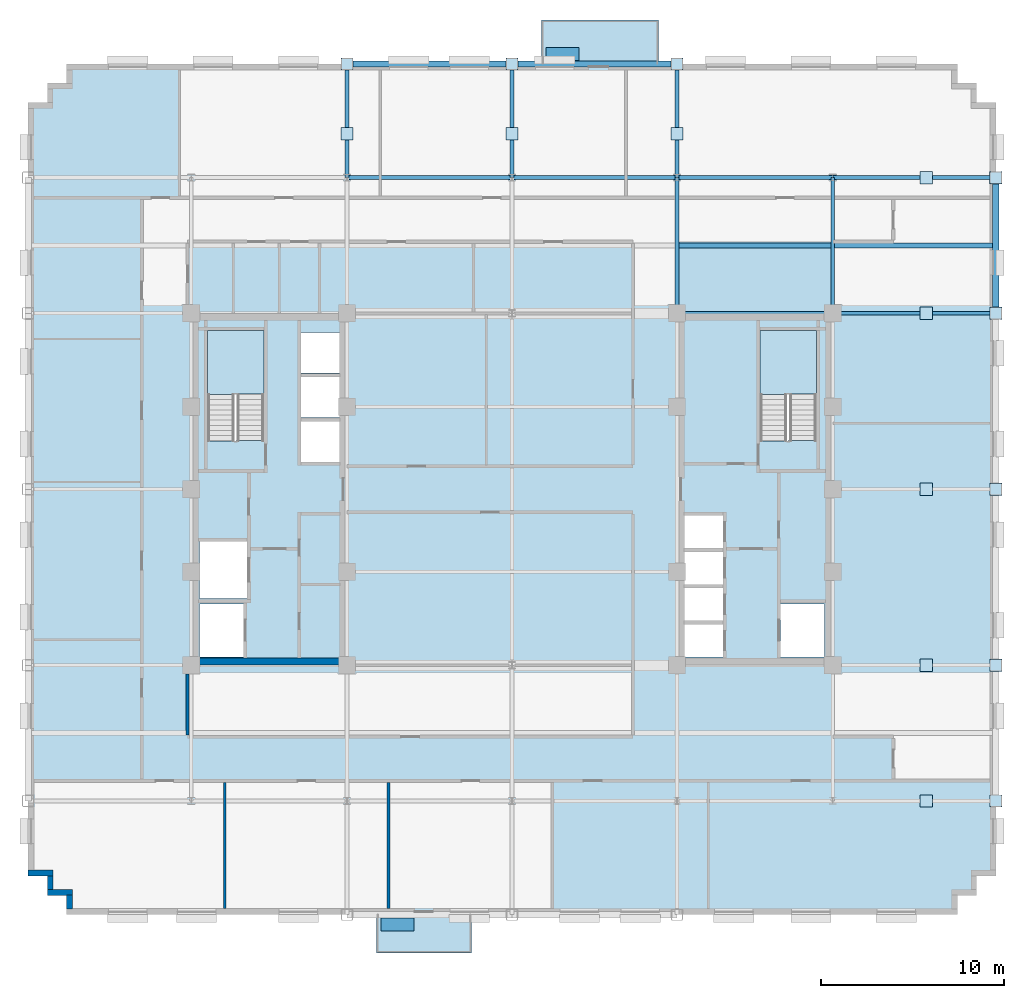
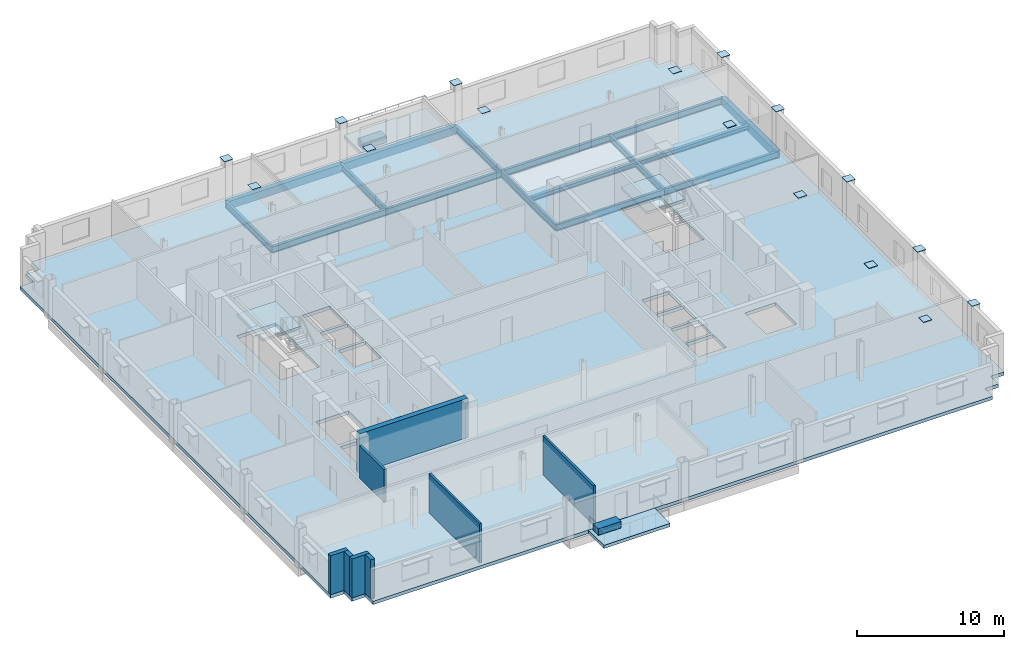
# One storey, part 5 of 14: 18 plates, 16 beams, 8 walls, 5 slabs, 2 elements without a shape of their own.
"""IFC4 building model written with IfcOpenShell, lengths in metres."""

from ifc_helpers import new_model, si_unit, direction, frame, frame_2d, origin, origin_2d, place, context, subcontext, project, spatial, polyline, rectangle, i_section, outline, extrude, source, transform, mapped, material, layer, layer_set, material_profile, profile_set, type_object, type_shapes, element, aggregate, save


model = new_model("IFC4")

# Units and contexts
model_context = context("Model", 3, precision=1e-05, world=origin(), true_north=direction((0.0, 1.0)))
body_context = subcontext(model_context, "Body", "Model", "MODEL_VIEW")
ifc_project = project(units=[si_unit("LENGTHUNIT", "METRE"), si_unit("AREAUNIT", "SQUARE_METRE"), si_unit("VOLUMEUNIT", "CUBIC_METRE"), si_unit("PLANEANGLEUNIT", "RADIAN"), si_unit("MASSUNIT", "GRAM", prefix="KILO")], contexts=[model_context])

# Site, building, storey
site_placement = place(None, origin())
site = spatial("IfcSite", under=ifc_project, at=site_placement, CompositionType="ELEMENT")
building_placement = place(site_placement, origin())
building = spatial("IfcBuilding", under=site, at=building_placement, Name="Nuvemarco Arch Tower", CompositionType="ELEMENT")
storey_placement = place(building_placement, frame((0.0, 0.0, 164.0)))
storey = spatial("IfcBuildingStorey", under=building, at=storey_placement, Name="L43", CompositionType="ELEMENT", Elevation=164.0)

# Beams
ifc_material_1 = material(Name="Steel S355", Category="steel")
ifc_material_profile_1 = material_profile(ifc_material_1, i_section(OverallWidth=0.2109375, OverallDepth=0.5390625, WebThickness=0.01171875, FlangeThickness=0.018798828125, FilletRadius=0.01611328125, at=origin_2d()), Name="W530x109")
ifc_profile_set_1 = profile_set([ifc_material_profile_1], Name="Steel S355")
beam_type_1 = type_object("IfcBeamType", Name="BM-GIRD-530", PredefinedType="BEAM", material=ifc_profile_set_1)
for number, where, z_axis, x_axis, name in (
    (1, (-9.0, 17.0, -0.549560546875), (0.0, 1.0, 0.0), (-1.0, 0.0, 0.0), "L43 structural beam BGNS_L43_0_-9.0_+17.0"),
    (2, (0.0, 17.0, -0.549560546875), (0.0, 1.0, 0.0), (-1.0, 0.0, 0.0), "L43 structural beam BGNS_L43_0_+0.0_+17.0"),
):
    element("IfcBeam", number, at=place(storey_placement, frame(where, z_axis=z_axis, x_axis=x_axis)), inside=storey, type_object=beam_type_1, Name=name, PredefinedType="BEAM", context=body_context, shape_type="SweptSolid", body=[
        extrude(i_section(OverallWidth=0.2109375, OverallDepth=0.5390625, WebThickness=0.01171875, FlangeThickness=0.018798828125, FilletRadius=0.01611328125, at=origin_2d()), origin(), (0.0, 0.0, 1.0), 6.199951171875),
    ])
beam_1_placement = place(storey_placement, frame((9.0, 9.60009765625, -0.549560546875), z_axis=(0.0, 1.0, 0.0), x_axis=(-1.0, 0.0, 0.0)))
element("IfcBeam", 3, at=beam_1_placement, inside=storey, type_object=beam_type_1, Name="L43 structural beam BGNS_L43_0_+9.0_+9.6", PredefinedType="BEAM", context=body_context, shape_type="SweptSolid", body=[
    extrude(i_section(OverallWidth=0.2109375, OverallDepth=0.5390625, WebThickness=0.01171875, FlangeThickness=0.018798828125, FilletRadius=0.01611328125, at=origin_2d()), origin(), (0.0, 0.0, 1.0), 7.39990234375),
])
beam_2_placement = place(storey_placement, frame((9.0, 17.0, -0.549560546875), z_axis=(0.0, 1.0, 0.0), x_axis=(-1.0, 0.0, 0.0)))
element("IfcBeam", 4, at=beam_2_placement, inside=storey, type_object=beam_type_1, Name="L43 structural beam BGNS_L43_0_+9.0_+17.0", PredefinedType="BEAM", context=body_context, shape_type="SweptSolid", body=[
    extrude(i_section(OverallWidth=0.2109375, OverallDepth=0.5390625, WebThickness=0.01171875, FlangeThickness=0.018798828125, FilletRadius=0.01611328125, at=origin_2d()), origin(), (0.0, 0.0, 1.0), 6.199951171875),
])
beam_3_placement = place(storey_placement, frame((17.5, 9.60009765625, -0.549560546875), z_axis=(0.0, 1.0, 0.0), x_axis=(-1.0, 0.0, 0.0)))
element("IfcBeam", 5, at=beam_3_placement, inside=storey, type_object=beam_type_1, Name="L43 structural beam BGNS_L43_0_+17.5_+9.6", PredefinedType="BEAM", context=body_context, shape_type="SweptSolid", body=[
    extrude(i_section(OverallWidth=0.2109375, OverallDepth=0.5390625, WebThickness=0.01171875, FlangeThickness=0.018798828125, FilletRadius=0.01611328125, at=origin_2d()), origin(), (0.0, 0.0, 1.0), 7.39990234375),
])
beam_4_placement = place(storey_placement, frame((9.0, 9.60009765625, -0.549560546875), z_axis=(1.0, 0.0, 0.0), x_axis=(0.0, 1.0, 0.0)))
element("IfcBeam", 6, at=beam_4_placement, inside=storey, type_object=beam_type_1, Name="L43 structural beam BGEW_L43_0_+9.6_+9.0", PredefinedType="BEAM", context=body_context, shape_type="SweptSolid", body=[
    extrude(i_section(OverallWidth=0.2109375, OverallDepth=0.5390625, WebThickness=0.01171875, FlangeThickness=0.018798828125, FilletRadius=0.01611328125, at=origin_2d()), origin(), (0.0, 0.0, 1.0), 8.5),
])
beam_5_placement = place(storey_placement, frame((17.5, 9.60009765625, -0.549560546875), z_axis=(1.0, 0.0, 0.0), x_axis=(0.0, 1.0, 0.0)))
element("IfcBeam", 7, at=beam_5_placement, inside=storey, type_object=beam_type_1, Name="L43 structural beam BGEW_L43_0_+9.6_+17.5", PredefinedType="BEAM", context=body_context, shape_type="SweptSolid", body=[
    extrude(i_section(OverallWidth=0.2109375, OverallDepth=0.5390625, WebThickness=0.01171875, FlangeThickness=0.018798828125, FilletRadius=0.01611328125, at=origin_2d()), origin(), (0.0, 0.0, 1.0), 8.89990234375),
])
for number, where, z_axis, x_axis, name in (
    (8, (-9.0, 17.0, -0.549560546875), (1.0, 0.0, 0.0), (0.0, 1.0, 0.0), "L43 structural beam BGEW_L43_0_+17.0_-9.0"),
    (9, (0.0, 17.0, -0.549560546875), (1.0, 0.0, 0.0), (0.0, 1.0, 0.0), "L43 structural beam BGEW_L43_0_+17.0_+0.0"),
):
    element("IfcBeam", number, at=place(storey_placement, frame(where, z_axis=z_axis, x_axis=x_axis)), inside=storey, type_object=beam_type_1, Name=name, PredefinedType="BEAM", context=body_context, shape_type="SweptSolid", body=[
        extrude(i_section(OverallWidth=0.2109375, OverallDepth=0.5390625, WebThickness=0.01171875, FlangeThickness=0.018798828125, FilletRadius=0.01611328125, at=origin_2d()), origin(), (0.0, 0.0, 1.0), 9.0),
    ])
beam_6_placement = place(storey_placement, frame((9.0, 17.0, -0.549560546875), z_axis=(1.0, 0.0, 0.0), x_axis=(0.0, 1.0, 0.0)))
element("IfcBeam", 10, at=beam_6_placement, inside=storey, type_object=beam_type_1, Name="L43 structural beam BGEW_L43_0_+17.0_+9.0", PredefinedType="BEAM", context=body_context, shape_type="SweptSolid", body=[
    extrude(i_section(OverallWidth=0.2109375, OverallDepth=0.5390625, WebThickness=0.01171875, FlangeThickness=0.018798828125, FilletRadius=0.01611328125, at=origin_2d()), origin(), (0.0, 0.0, 1.0), 8.5),
])
beam_7_placement = place(storey_placement, frame((17.5, 17.0, -0.549560546875), z_axis=(1.0, 0.0, 0.0), x_axis=(0.0, 1.0, 0.0)))
element("IfcBeam", 11, at=beam_7_placement, inside=storey, type_object=beam_type_1, Name="L43 structural beam BGEW_L43_0_+17.0_+17.5", PredefinedType="BEAM", context=body_context, shape_type="SweptSolid", body=[
    extrude(i_section(OverallWidth=0.2109375, OverallDepth=0.5390625, WebThickness=0.01171875, FlangeThickness=0.018798828125, FilletRadius=0.01611328125, at=origin_2d()), origin(), (0.0, 0.0, 1.0), 8.89990234375),
])
ifc_material_profile_2 = material_profile(ifc_material_1, i_section(OverallWidth=0.2548828125, OverallDepth=0.35693359375, WebThickness=0.010498046875, FlangeThickness=0.018310546875, FilletRadius=0.014892578125, at=origin_2d()), Name="W360x101")
ifc_profile_set_2 = profile_set([ifc_material_profile_2], Name="Steel S355")
beam_type_2 = type_object("IfcBeamType", Name="BM-JOIST-360H", PredefinedType="JOIST", material=ifc_profile_set_2)
beam_8_placement = place(storey_placement, frame((9.10546875, 13.300048828125, -0.45849609375), z_axis=(1.0, 0.0, 0.0), x_axis=(0.0, 1.0, 0.0)))
element("IfcBeam", 12, at=beam_8_placement, inside=storey, type_object=beam_type_2, Name="L43 structural beam BJ_L43_0_+13.3_+9.0", PredefinedType="JOIST", context=body_context, shape_type="SweptSolid", body=[
    extrude(i_section(OverallWidth=0.2548828125, OverallDepth=0.35693359375, WebThickness=0.010498046875, FlangeThickness=0.018310546875, FilletRadius=0.014892578125, at=origin_2d()), origin(), (0.0, 0.0, 1.0), 8.2890625),
])
beam_9_placement = place(storey_placement, frame((17.60546875, 13.300048828125, -0.45849609375), z_axis=(1.0, 0.0, 0.0), x_axis=(0.0, 1.0, 0.0)))
element("IfcBeam", 13, at=beam_9_placement, inside=storey, type_object=beam_type_2, Name="L43 structural beam BJ_L43_0_+13.3_+17.5", PredefinedType="JOIST", context=body_context, shape_type="SweptSolid", body=[
    extrude(i_section(OverallWidth=0.2548828125, OverallDepth=0.35693359375, WebThickness=0.010498046875, FlangeThickness=0.018310546875, FilletRadius=0.014892578125, at=origin_2d()), origin(), (0.0, 0.0, 1.0), 8.61962890625),
])
ifc_material_2 = material(Name="Precast concrete C45/55", Category="concrete")
ifc_material_profile_3 = material_profile(ifc_material_2, rectangle(XDim=0.35009765625, YDim=0.64990234375, at=origin_2d()), Name="PC-SP-350x650")
ifc_profile_set_3 = profile_set([ifc_material_profile_3], Name="Precast concrete C45/55")
beam_type_3 = type_object("IfcBeamType", Name="BM-SPAN-RC", PredefinedType="SPANDREL", material=ifc_profile_set_3)
beam_10_placement = place(storey_placement, frame((26.39990234375, 9.60009765625, -0.60498046875), z_axis=(0.0, 1.0, 0.0), x_axis=(-1.0, 0.0, 0.0)))
element("IfcBeam", 14, at=beam_10_placement, inside=storey, type_object=beam_type_3, Name="L43 structural beam BGNS_L43_0_+26.4_+9.6", PredefinedType="SPANDREL", context=body_context, shape_type="SweptSolid", body=[
    extrude(rectangle(XDim=0.35009765625, YDim=0.64990234375, at=origin_2d()), origin(), (0.0, 0.0, 1.0), 7.39990234375),
])
for number, where, z_axis, x_axis, name in (
    (15, (-9.0, 23.199951171875, -0.60498046875), (1.0, 0.0, 0.0), (0.0, 1.0, 0.0), "L43 structural beam BGEW_L43_0_+23.2_-9.0"),
    (16, (0.0, 23.199951171875, -0.60498046875), (1.0, 0.0, 0.0), (0.0, 1.0, 0.0), "L43 structural beam BGEW_L43_0_+23.2_+0.0"),
):
    element("IfcBeam", number, at=place(storey_placement, frame(where, z_axis=z_axis, x_axis=x_axis)), inside=storey, type_object=beam_type_3, Name=name, PredefinedType="SPANDREL", context=body_context, shape_type="SweptSolid", body=[
        extrude(rectangle(XDim=0.35009765625, YDim=0.64990234375, at=origin_2d()), origin(), (0.0, 0.0, 1.0), 9.0),
    ])

# Slab
ifc_material_3 = material(Name="Concrete C50/60", Category="concrete")
ifc_layer_1 = layer(ifc_material_3, 0.280029296875, Name="SL-FLR-280")
ifc_layer_set_1 = layer_set([ifc_layer_1], Name="Concrete C50/60")
slab_type_1 = type_object("IfcSlabType", Name="SL-FLR-280", PredefinedType="FLOOR", material=ifc_layer_set_1)
slab_1_placement = place(storey_placement, frame((0.0, 0.0, -0.280029296875)))
element("IfcSlab", 17, at=slab_1_placement, inside=storey, type_object=slab_type_1, Name="L43 structural floor slab", PredefinedType="FLOOR", context=body_context, shape_type="SweptSolid", body=[
    extrude(outline(polyline([(-24.300048828125, -23.199951171875), (24.300048828125, -23.199951171875), (24.300048828125, -22.14990234375), (25.35009765625, -22.14990234375), (25.35009765625, -21.10009765625), (26.39990234375, -21.10009765625), (26.39990234375, 21.10009765625), (25.35009765625, 21.10009765625), (25.35009765625, 22.14990234375), (24.300048828125, 22.14990234375), (24.300048828125, 23.199951171875), (-24.300048828125, 23.199951171875), (-24.300048828125, 22.14990234375), (-25.35009765625, 22.14990234375), (-25.35009765625, 21.10009765625), (-26.39990234375, 21.10009765625), (-26.39990234375, -21.10009765625), (-25.35009765625, -21.10009765625), (-25.35009765625, -22.14990234375), (-24.300048828125, -22.14990234375), (-24.300048828125, -23.199951171875)]), holes=[polyline([(-13.5400390625, 2.669921875), (-13.5400390625, 8.64990234375), (-16.60009765625, 8.64990234375), (-16.60009765625, 2.630615234375), (-15.070068359375, 2.630615234375), (-15.070068359375, 2.669921875), (-13.5400390625, 2.669921875)]), polyline([(16.60009765625, 2.669921875), (16.60009765625, 8.64990234375), (13.5400390625, 8.64990234375), (13.5400390625, 2.630615234375), (15.070068359375, 2.630615234375), (15.070068359375, 2.669921875), (16.60009765625, 2.669921875)]), polyline([(-17.050048828125, -9.14990234375), (-14.64990234375, -9.14990234375), (-14.64990234375, -6.25), (-17.050048828125, -6.25), (-17.050048828125, -9.14990234375)]), polyline([(-17.050048828125, -5.949951171875), (-14.449951171875, -5.949951171875), (-14.449951171875, -2.85009765625), (-17.050048828125, -2.85009765625), (-17.050048828125, -5.949951171875)]), polyline([(-11.5, 1.5), (-9.35009765625, 1.5), (-9.35009765625, 3.699951171875), (-11.5, 3.699951171875), (-11.5, 1.5)]), polyline([(-11.5, 3.919921875), (-9.35009765625, 3.919921875), (-9.35009765625, 6.1201171875), (-11.5, 6.1201171875), (-11.5, 3.919921875)]), polyline([(-11.5, 6.340087890625), (-9.35009765625, 6.340087890625), (-9.35009765625, 8.5400390625), (-11.5, 8.5400390625), (-11.5, 6.340087890625)]), polyline([(14.64990234375, -9.14990234375), (17.050048828125, -9.14990234375), (17.050048828125, -6.25), (14.64990234375, -6.25), (14.64990234375, -9.14990234375)]), polyline([(9.35009765625, -9.14990234375), (11.5, -9.14990234375), (11.5, -7.3701171875), (9.35009765625, -7.3701171875), (9.35009765625, -9.14990234375)]), polyline([(9.35009765625, -7.169921875), (11.5, -7.169921875), (11.5, -5.389892578125), (9.35009765625, -5.389892578125), (9.35009765625, -7.169921875)]), polyline([(9.35009765625, -5.18994140625), (11.5, -5.18994140625), (11.5, -3.409912109375), (9.35009765625, -3.409912109375), (9.35009765625, -5.18994140625)]), polyline([(9.35009765625, -3.2099609375), (11.5, -3.2099609375), (11.5, -1.429931640625), (9.35009765625, -1.429931640625), (9.35009765625, -3.2099609375)])]), origin(), (0.0, 0.0, 1.0), 0.280029296875),
])

# Stair, slab
stair_type = type_object("IfcStairType", Name="ST-CORE-20R", PredefinedType="HALF_TURN_STAIR", material=ifc_material_2)
stair_1_placement = place(storey_placement, origin())
stair_1 = element("IfcStair", 18, at=stair_1_placement, inside=storey, type_object=stair_type, Name="L43 Protected Exit Stair ST-1", PredefinedType="HALF_TURN_STAIR")
ifc_layer_2 = layer(ifc_material_2, 0.199951171875, Name="SL-LANDING-200")
ifc_layer_set_2 = layer_set([ifc_layer_2], Name="Precast concrete C45/55")
slab_type_2 = type_object("IfcSlabType", Name="SL-LANDING-200", PredefinedType="LANDING", material=ifc_layer_set_2)
slab_2_placement = place(storey_placement, frame((0.0, 0.0, 1.625)))
slab_2 = element("IfcSlab", 19, at=slab_2_placement, type_object=slab_type_2, Name="ST-20R landing 1", PredefinedType="LANDING", context=body_context, shape_type="SweptSolid", body=[
    extrude(outline(polyline([(-13.5400390625, 5.189453125), (-13.5400390625, 8.64990234375), (-16.60009765625, 8.64990234375), (-16.60009765625, 5.169921875), (-15.070068359375, 5.169921875), (-15.070068359375, 5.189453125), (-13.5400390625, 5.189453125)])), origin(), (0.0, 0.0, 1.0), 0.199951171875),
])
aggregate(stair_1, [slab_2])

stair_2_placement = place(storey_placement, origin())
stair_2 = element("IfcStair", 20, at=stair_2_placement, inside=storey, type_object=stair_type, Name="L43 Protected Exit Stair ST-2", PredefinedType="HALF_TURN_STAIR")
slab_3_placement = place(storey_placement, frame((0.0, 0.0, 1.625)))
slab_3 = element("IfcSlab", 21, at=slab_3_placement, type_object=slab_type_2, Name="ST-20R landing 1", PredefinedType="LANDING", context=body_context, shape_type="SweptSolid", body=[
    extrude(outline(polyline([(16.60009765625, 5.189453125), (16.60009765625, 8.64990234375), (13.5400390625, 8.64990234375), (13.5400390625, 5.169921875), (15.070068359375, 5.169921875), (15.070068359375, 5.189453125), (16.60009765625, 5.189453125)])), origin(), (0.0, 0.0, 1.0), 0.199951171875),
])
aggregate(stair_2, [slab_3])

# Slabs
ifc_layer_3 = layer(ifc_material_3, 0.264892578125, Name="SL-TB1")
ifc_layer_set_3 = layer_set([ifc_layer_3], Name="Concrete C50/60")
slab_type_3 = type_object("IfcSlabType", Name="SL-TB1", PredefinedType="FLOOR", material=ifc_layer_set_3)
slab_4_placement = place(storey_placement, frame((0.0, 0.0, -0.264892578125)))
element("IfcSlab", 22, at=slab_4_placement, inside=storey, type_object=slab_type_3, Name="L43 outdoor tree balcony slab 2", PredefinedType="FLOOR", context=body_context, shape_type="SweptSolid", body=[
    extrude(outline(polyline([(-7.39990234375, -25.300048828125), (-2.199951171875, -25.300048828125), (-2.199951171875, -23.199951171875), (-7.39990234375, -23.199951171875), (-7.39990234375, -25.300048828125)])), origin(), (0.0, 0.0, 1.0), 0.264892578125),
])
ifc_layer_4 = layer(ifc_material_3, 0.294921875, Name="SL-TR4")
ifc_layer_set_4 = layer_set([ifc_layer_4], Name="Concrete C50/60")
slab_type_4 = type_object("IfcSlabType", Name="SL-TR4", PredefinedType="FLOOR", material=ifc_layer_set_4)
slab_5_placement = place(storey_placement, frame((0.0, 0.0, -0.294921875)))
element("IfcSlab", 23, at=slab_5_placement, inside=storey, type_object=slab_type_4, Name="L43 outdoor spiral terrace slab 1", PredefinedType="FLOOR", context=body_context, shape_type="SweptSolid", body=[
    extrude(outline(polyline([(1.60009765625, 23.199951171875), (8.0, 23.199951171875), (8.0, 25.60009765625), (1.60009765625, 25.60009765625), (1.60009765625, 23.199951171875)])), origin(), (0.0, 0.0, 1.0), 0.294921875),
])

# Plates
ifc_layer_5 = layer(ifc_material_1, 0.030029296875, Name="PL-CAP-650-EXT")
ifc_layer_set_5 = layer_set([ifc_layer_5], Name="Steel S355")
plate_type_1 = type_object("IfcPlateType", Name="PL-CAP-650-EXT", PredefinedType="SHEET", material=ifc_layer_set_5)
shared_shape_1 = source(origin(), body_context, "Body", "SweptSolid", [
    extrude(rectangle(XDim=0.669921875, YDim=0.669921875, at=origin_2d()), origin(), (0.0, 0.0, 1.0), 0.030029296875),
])
type_shapes(plate_type_1, [shared_shape_1])
for number, where, z_axis, x_axis, name in (
    (24, (26.39990234375, -17.0, 3.23486328125), (0.0, 0.0, 1.0), (1.0, 0.0, 0.0), "Hollow steel end-cap plate COL-L43-CX_+26.4_-17.0_TOP"),
    (25, (26.39990234375, -9.60009765625, 3.23486328125), (0.0, 0.0, 1.0), (1.0, 0.0, 0.0), "Hollow steel end-cap plate COL-L43-CX_+26.4_-9.6_TOP"),
    (26, (26.39990234375, 0.0, 3.23486328125), (0.0, 0.0, 1.0), (1.0, 0.0, 0.0), "Hollow steel end-cap plate COL-L43-CX_+26.4_+0.0_TOP"),
    (27, (26.39990234375, 9.60009765625, 3.23486328125), (0.0, 0.0, 1.0), (1.0, 0.0, 0.0), "Hollow steel end-cap plate COL-L43-CX_+26.4_+9.6_TOP"),
    (28, (26.39990234375, 17.0, 3.23486328125), (0.0, 0.0, 1.0), (1.0, 0.0, 0.0), "Hollow steel end-cap plate COL-L43-CX_+26.4_+17.0_TOP"),
    (29, (-9.0, 23.199951171875, 3.23486328125), (0.0, 0.0, 1.0), (1.0, 0.0, 0.0), "Hollow steel end-cap plate COL-L43-CY_-9.0_+23.2_TOP"),
    (30, (0.0, 23.199951171875, 3.23486328125), (0.0, 0.0, 1.0), (1.0, 0.0, 0.0), "Hollow steel end-cap plate COL-L43-CY_+0.0_+23.2_TOP"),
    (31, (9.0, 23.199951171875, 3.23486328125), (0.0, 0.0, 1.0), (1.0, 0.0, 0.0), "Hollow steel end-cap plate COL-L43-CY_+9.0_+23.2_TOP"),
    (32, (22.60009765625, -17.0, 3.23486328125), (0.0, 0.0, 1.0), (1.0, 0.0, 0.0), "Hollow steel end-cap plate COL-L44-CX_+22.6_-17.0_BOT"),
    (33, (22.60009765625, -9.60009765625, 3.23486328125), (0.0, 0.0, 1.0), (1.0, 0.0, 0.0), "Hollow steel end-cap plate COL-L44-CX_+22.6_-9.6_BOT"),
    (34, (22.60009765625, 0.0, 3.23486328125), (0.0, 0.0, 1.0), (1.0, 0.0, 0.0), "Hollow steel end-cap plate COL-L44-CX_+22.6_+0.0_BOT"),
    (35, (22.60009765625, 9.60009765625, 3.23486328125), (0.0, 0.0, 1.0), (1.0, 0.0, 0.0), "Hollow steel end-cap plate COL-L44-CX_+22.6_+9.6_BOT"),
    (36, (22.60009765625, 17.0, 3.23486328125), (0.0, 0.0, 1.0), (1.0, 0.0, 0.0), "Hollow steel end-cap plate COL-L44-CX_+22.6_+17.0_BOT"),
    (37, (-9.0, 19.39990234375, 3.23486328125), (0.0, 0.0, 1.0), (1.0, 0.0, 0.0), "Hollow steel end-cap plate COL-L44-CY_-9.0_+19.4_BOT"),
    (38, (0.0, 19.39990234375, 3.23486328125), (0.0, 0.0, 1.0), (1.0, 0.0, 0.0), "Hollow steel end-cap plate COL-L44-CY_+0.0_+19.4_BOT"),
    (39, (9.0, 19.39990234375, 3.23486328125), (0.0, 0.0, 1.0), (1.0, 0.0, 0.0), "Hollow steel end-cap plate COL-L44-CY_+9.0_+19.4_BOT"),
):
    element("IfcPlate", number, at=place(storey_placement, frame(where, z_axis=z_axis, x_axis=x_axis)), inside=storey, type_object=plate_type_1, Name=name, PredefinedType="SHEET", context=body_context, shape_type="MappedRepresentation", body=[
        mapped(shared_shape_1, transform((0.0, 0.0, 0.0), scale=1.0)),
    ])
ifc_layer_6 = layer(ifc_material_2, 0.550048828125, Name="Tree Balcony Structural Planter")
ifc_layer_set_6 = layer_set([ifc_layer_6], Name="Precast concrete C45/55")
plate_type_2 = type_object("IfcPlateType", Name="Tree Balcony Structural Planter", PredefinedType="USERDEFINED", material=ifc_layer_set_6)
shared_shape_2 = source(origin(), body_context, "Body", "SweptSolid", [
    extrude(rectangle(XDim=1.800048828125, YDim=0.699951171875, at=origin_2d()), origin(), (0.0, 0.0, 1.0), 0.550048828125),
])
type_shapes(plate_type_2, [shared_shape_2])
for number, where, z_axis, x_axis, name in (
    (40, (2.75, 23.75, 0.0), (0.0, 0.0, 1.0), (1.0, 0.0, 0.0), "L43 Tree Balcony Structural Planter"),
    (41, (-6.25, -23.75, 0.0), (0.0, 0.0, 1.0), (1.0, 0.0, 0.0), "L43 Tree Balcony Structural Planter"),
):
    element("IfcPlate", number, at=place(storey_placement, frame(where, z_axis=z_axis, x_axis=x_axis)), inside=storey, type_object=plate_type_2, Name=name, ObjectType="PLANTER", PredefinedType="USERDEFINED", context=body_context, shape_type="MappedRepresentation", body=[
        mapped(shared_shape_2, transform((0.0, 0.0, 0.0), scale=1.0)),
    ])

# Walls
ifc_layer_7 = layer(ifc_material_2, 0.320068359375, Name="EW-MID-320")
ifc_layer_set_7 = layer_set([ifc_layer_7], Name="Precast concrete C45/55")
wall_type_1 = type_object("IfcWallType", Name="EW-MID-320", PredefinedType="STANDARD", material=ifc_layer_set_7)
wall_1_placement = place(storey_placement, frame((-26.39990234375, -20.93994140625, 0.0), z_axis=(0.0, 0.0, 1.0), x_axis=(1.0, 0.0, 0.0)))
element("IfcWall", 42, at=wall_1_placement, inside=storey, type_object=wall_type_1, Name="L43 exterior precast facade wall 17", PredefinedType="STANDARD", context=body_context, shape_type="SweptSolid", body=[
    extrude(rectangle(XDim=1.369873046875, YDim=0.320068359375, at=frame_2d((0.68505859375, 0.0))), origin(), (0.0, 0.0, 1.0), 3.239990234375),
])
wall_2_placement = place(storey_placement, frame((-25.18994140625, -21.833984375, 0.0), z_axis=(0.0, 0.0, 1.0), x_axis=(0.0, 1.0, 0.0)))
element("IfcWall", 43, at=wall_2_placement, inside=storey, type_object=wall_type_1, Name="L43 exterior precast facade wall 18", PredefinedType="STANDARD", context=body_context, shape_type="SweptSolid", body=[
    extrude(rectangle(XDim=0.738037109375, YDim=0.320068359375, at=frame_2d((0.369140625, 0.0))), origin(), (0.0, 0.0, 1.0), 3.239990234375),
])
wall_3_placement = place(storey_placement, frame((-25.35009765625, -21.989990234375, 0.0), z_axis=(0.0, 0.0, 1.0), x_axis=(1.0, 0.0, 0.0)))
element("IfcWall", 44, at=wall_3_placement, inside=storey, type_object=wall_type_1, Name="L43 exterior precast facade wall 19", PredefinedType="STANDARD", context=body_context, shape_type="SweptSolid", body=[
    extrude(rectangle(XDim=1.3701171875, YDim=0.320068359375, at=frame_2d((0.68505859375, 0.0))), origin(), (0.0, 0.0, 1.0), 3.239990234375),
])
wall_4_placement = place(storey_placement, frame((-24.139892578125, -22.884033203125, 0.0), z_axis=(0.0, 0.0, 1.0), x_axis=(0.0, 1.0, 0.0)))
element("IfcWall", 45, at=wall_4_placement, inside=storey, type_object=wall_type_1, Name="L43 exterior precast facade wall 20", PredefinedType="STANDARD", context=body_context, shape_type="SweptSolid", body=[
    extrude(rectangle(XDim=0.738037109375, YDim=0.320068359375, at=frame_2d((0.369140625, 0.0))), origin(), (0.0, 0.0, 1.0), 3.239990234375),
])
ifc_material_4 = material(Name="Concrete C60/75", Category="concrete")
ifc_layer_8 = layer(ifc_material_4, 0.39990234375, Name="WL-CORE-400")
ifc_layer_set_8 = layer_set([ifc_layer_8], Name="Concrete C60/75")
wall_type_2 = type_object("IfcWallType", Name="WL-CORE-400", PredefinedType="SHEAR", material=ifc_layer_set_8)
wall_5_placement = place(storey_placement, frame((-17.5, -9.39990234375, 0.0), z_axis=(0.0, 0.0, 1.0), x_axis=(1.0, 0.0, 0.0)))
element("IfcWall", 46, at=wall_5_placement, inside=storey, type_object=wall_type_2, Name="L43 W-core shear wall S", PredefinedType="SHEAR", context=body_context, shape_type="SweptSolid", body=[
    extrude(rectangle(XDim=8.5, YDim=0.39990234375, at=frame_2d((4.25, 0.0))), origin(), (0.0, 0.0, 1.0), 3.25),
])
ifc_material_5 = material(Name="Fire-rated gypsum drywall partition")
ifc_layer_9 = layer(ifc_material_5, 0.179931640625, Name="WL-CORR-180")
ifc_layer_set_9 = layer_set([ifc_layer_9], Name="Fire-rated gypsum drywall partition")
wall_type_3 = type_object("IfcWallType", Name="WL-CORR-180", PredefinedType="PARTITIONING", material=ifc_layer_set_9)
wall_6_placement = place(storey_placement, frame((-17.699951171875, -13.4140625, 0.0), z_axis=(0.0, 0.0, 1.0), x_axis=(0.0, 1.0, 0.0)))
element("IfcWall", 47, at=wall_6_placement, inside=storey, type_object=wall_type_3, Name="L43 interior wall IW-L43-019", PredefinedType="PARTITIONING", context=body_context, shape_type="SweptSolid", body=[
    extrude(rectangle(XDim=3.343017578125, YDim=0.179931640625, at=frame_2d((1.67138671875, 0.0))), origin(), (0.0, 0.0, 1.0), 2.696044921875),
])
ifc_material_6 = material(Name="Acoustic gypsum drywall partition")
ifc_layer_10 = layer(ifc_material_6, 0.159912109375, Name="WL-TENANT-160")
ifc_layer_set_10 = layer_set([ifc_layer_10], Name="Acoustic gypsum drywall partition")
wall_type_4 = type_object("IfcWallType", Name="WL-TENANT-160", PredefinedType="PARTITIONING", material=ifc_layer_set_10)
for number, where, z_axis, x_axis, name in (
    (48, (-15.669921875, -22.8798828125, 0.0), (0.0, 0.0, 1.0), (0.0, 1.0, 0.0), "L43 interior wall IW-L43-021"),
    (49, (-6.72998046875, -22.8798828125, 0.0), (0.0, 0.0, 1.0), (0.0, 1.0, 0.0), "L43 interior wall IW-L43-026"),
):
    element("IfcWall", number, at=place(storey_placement, frame(where, z_axis=z_axis, x_axis=x_axis)), inside=storey, type_object=wall_type_4, Name=name, PredefinedType="PARTITIONING", context=body_context, shape_type="SweptSolid", body=[
        extrude(rectangle(XDim=6.893798828125, YDim=0.159912109375, at=frame_2d((3.44677734375, 0.0))), origin(), (0.0, 0.0, 1.0), 3.239990234375),
    ])

save(model, "model.ifc")
